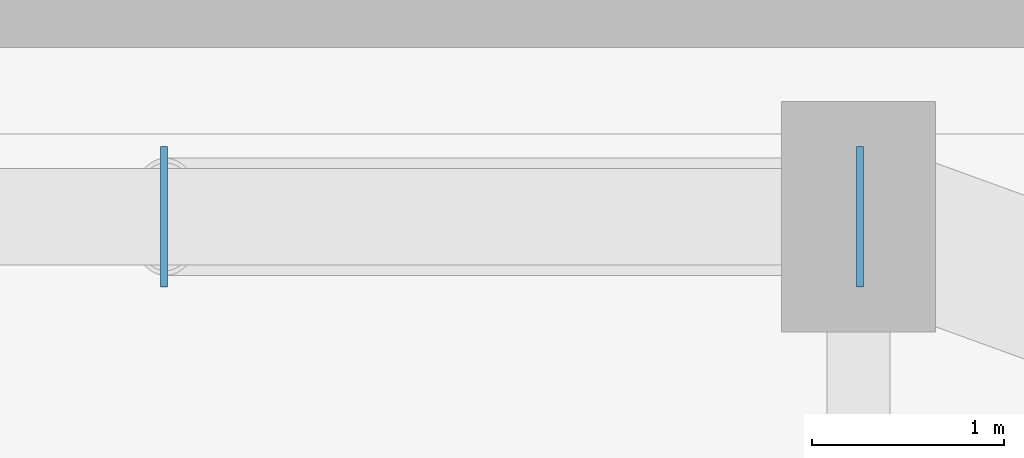
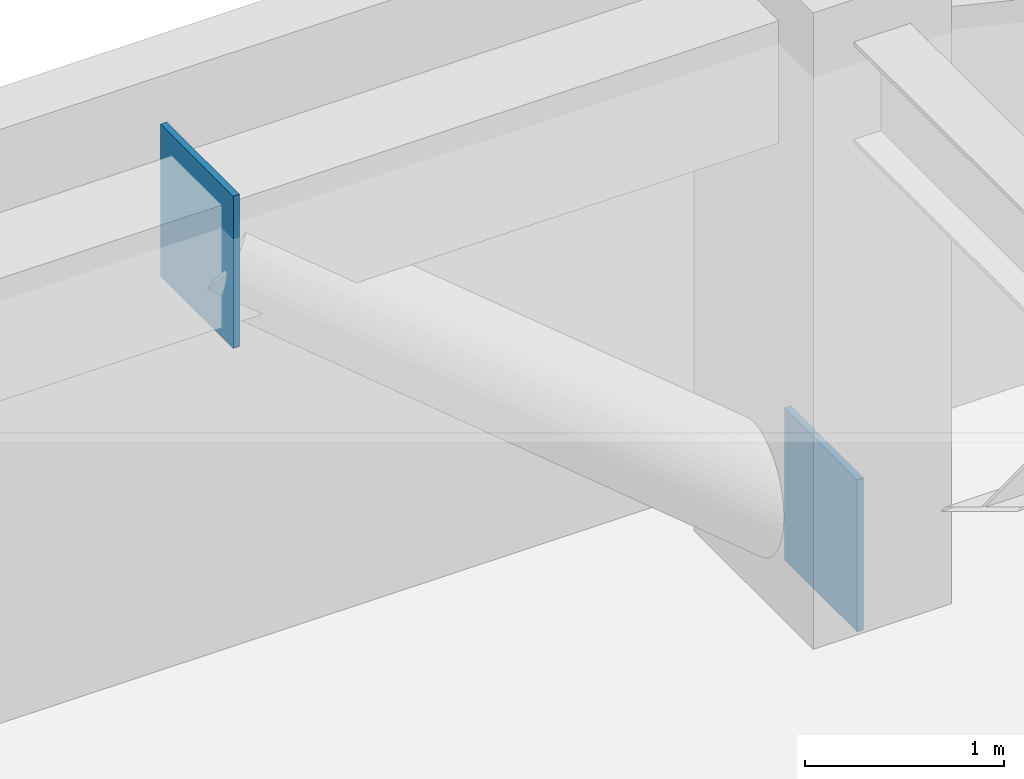
# One storey, part 17 of 24: 2 plates.
"""IFC4 building model written with IfcOpenShell, lengths in metres."""

import ifcopenshell
import ifcopenshell.guid

model = None  # the IFC model being written
_history = None  # IfcOwnerHistory: only IFC2X3 demands one
_inside = {}  # id of a spatial element -> (the spatial element, [elements in it])
_under = {}  # id of a project, library or spatial element -> (it, [spatial elements below it])
_declared = {}  # id of a project -> (the project, [libraries it declares])
_typed = {}  # id of a type object -> (the type object, [elements of that type])
_made_of = {}  # id of a material, layer set ... -> (it, [elements and type objects made of it])


def new_model(schema):
    """Start an empty IFC model of exactly this schema.

    Asked for "IFC4X3", IfcOpenShell would pick the latest addendum, in which some entities
    have other attributes; the version numbers below select the first issue.
    IFC2X3 requires an IfcOwnerHistory on every rooted entity: one is made here for all.
    """
    global model, _history
    if schema == "IFC4X3":
        model = ifcopenshell.file(schema_version=(4, 3, 0, 0))
    else:
        model = ifcopenshell.file(schema=schema)
    _inside.clear()
    _under.clear()
    _declared.clear()
    _typed.clear()
    _made_of.clear()
    _history = None
    if model.schema == "IFC2X3":
        org = make("IfcOrganization", Name="unknown")
        user = make(
            "IfcPersonAndOrganization",
            ThePerson=make("IfcPerson", FamilyName="unknown"),
            TheOrganization=org,
        )
        app = make(
            "IfcApplication",
            ApplicationDeveloper=org,
            Version="unknown",
            ApplicationFullName="unknown",
            ApplicationIdentifier="unknown",
        )
        _history = make(
            "IfcOwnerHistory",
            OwningUser=user,
            OwningApplication=app,
            ChangeAction="ADDED",
            CreationDate=0,
        )
    return model


def make(cls, **values):
    """One entity of the class cls with the attributes given. An attribute that is None is left unset."""
    return model.create_entity(
        cls, **{name: value for name, value in values.items() if value is not None}
    )


def rooted(cls, **values):
    """An entity with a GlobalId (a new one), such as an element, a storey or a relation."""
    return make(cls, GlobalId=ifcopenshell.guid.new(), OwnerHistory=_history, **values)


def si_unit(unit_type, name, prefix=None):
    """IfcSIUnit, for example si_unit("LENGTHUNIT", "METRE", prefix="MILLI")."""
    return make("IfcSIUnit", UnitType=unit_type, Prefix=prefix, Name=name)


def assignment(units):
    """IfcUnitAssignment: the units of a project."""
    return None if units is None else make("IfcUnitAssignment", Units=units)


def point(xyz):
    """IfcCartesianPoint."""
    return None if xyz is None else make("IfcCartesianPoint", Coordinates=xyz)


def direction(xyz):
    """IfcDirection."""
    return None if xyz is None else make("IfcDirection", DirectionRatios=xyz)


def frame(location, z_axis=None, x_axis=None):
    """IfcAxis2Placement3D, a coordinate frame: its origin and axes. An axis left out is left unset."""
    return make(
        "IfcAxis2Placement3D",
        Location=point(location),
        Axis=direction(z_axis),
        RefDirection=direction(x_axis),
    )


def frame_2d(location, x_axis=None):
    """IfcAxis2Placement2D, a coordinate frame in the plane: its origin and x axis."""
    return make(
        "IfcAxis2Placement2D", Location=point(location), RefDirection=direction(x_axis)
    )


def origin():
    """The frame at (0, 0, 0) with its axes left unset."""
    return frame((0.0, 0.0, 0.0))


def origin_2d():
    """The frame at (0, 0) in the plane with its x axis left unset."""
    return frame_2d((0.0, 0.0))


def place(relative_to, where):
    """IfcLocalPlacement: puts the frame where relative to a parent placement (None: the world)."""
    return make(
        "IfcLocalPlacement", PlacementRelTo=relative_to, RelativePlacement=where
    )


def context(
    kind, dimensions, precision=None, world=None, true_north=None, identifier=None
):
    """IfcGeometricRepresentationContext, for example the 3D "Model" context."""
    return make(
        "IfcGeometricRepresentationContext",
        ContextIdentifier=identifier,
        ContextType=kind,
        CoordinateSpaceDimension=dimensions,
        Precision=precision,
        WorldCoordinateSystem=world,
        TrueNorth=true_north,
    )


def subcontext(parent, identifier, kind, view, scale=None):
    """IfcGeometricRepresentationSubContext, for example "Body" below "Model"."""
    return make(
        "IfcGeometricRepresentationSubContext",
        ContextIdentifier=identifier,
        ContextType=kind,
        ParentContext=parent,
        TargetScale=scale,
        TargetView=view,
    )


def project(units=None, contexts=None):
    """IfcProject with its units and contexts."""
    return rooted(
        "IfcProject",
        Name="project",
        RepresentationContexts=contexts,
        UnitsInContext=assignment(units),
    )


def spatial(cls, under=None, at=None, **own):
    """A site, building, storey or space (cls), placed at a placement, below another one or the project."""
    s = rooted(cls, ObjectPlacement=at, **own)
    if under is not None:
        _under.setdefault(under.id(), (under, []))[1].append(s)
    return s


def profile(cls, at=None, kind="AREA", **sizes):
    """A parametric profile (cls). Its sizes go by their IFC names, for example OverallWidth=200.0."""
    return make(cls, ProfileType=kind, Position=at, **sizes)


def rectangle(**sizes):
    """IfcRectangleProfileDef."""
    return profile("IfcRectangleProfileDef", **sizes)


def extrude(swept, where, along, depth):
    """IfcExtrudedAreaSolid: the profile swept, set in the frame where, extruded along a direction by depth."""
    return make(
        "IfcExtrudedAreaSolid",
        SweptArea=swept,
        Position=where,
        ExtrudedDirection=direction(along),
        Depth=depth,
    )


def shape(context_of_items, identifier, shape_type, items):
    """IfcShapeRepresentation: the items that make up one representation, for example the "Body"."""
    return make(
        "IfcShapeRepresentation",
        ContextOfItems=context_of_items,
        RepresentationIdentifier=identifier,
        RepresentationType=shape_type,
        Items=items,
    )


def material(Name=None, Category=None):
    """IfcMaterial."""
    return make("IfcMaterial", Name=Name, Category=Category)


def layer(
    of_material, thickness, ventilated=None, Name=None, Category=None, Priority=None
):
    """IfcMaterialLayer: one layer of a wall or slab, of a material (None: an air gap)."""
    return make(
        "IfcMaterialLayer",
        Material=of_material,
        LayerThickness=thickness,
        IsVentilated=ventilated,
        Name=Name,
        Category=Category,
        Priority=Priority,
    )


def layer_set(layers, Name=None):
    """IfcMaterialLayerSet."""
    return make("IfcMaterialLayerSet", MaterialLayers=layers, LayerSetName=Name)


def made_of(thing, what):
    """Note that an element or type object is made of a material, layer set ...; save() writes the relation."""
    if what is not None:
        _made_of.setdefault(what.id(), (what, []))[1].append(thing)
    return thing


def type_object(cls, material=None, **own):
    """A type object (cls), such as IfcWallType, which elements share."""
    return made_of(rooted(cls, **own), material)


def element(
    cls,
    number,
    at=None,
    inside=None,
    cuts=None,
    type_object=None,
    material=None,
    context=None,
    identifier="Body",
    shape_type=None,
    held_by="IfcProductDefinitionShape",
    body=None,
    shapes=None,
    **own,
):
    """One element of the class cls, such as IfcWall. Its Tag is "e" and its number.

    at: its placement. inside: the storey or other place that contains it. cuts: it is an
    opening in that element (IfcRelVoidsElement). A single representation is given by context,
    identifier, shape_type and body (its items); several are given by shapes. held_by: the class
    of the entity that holds the representations. save() writes the other relations.
    """
    e = rooted(cls, Tag="e%d" % number, ObjectPlacement=at, **own)
    if body is not None:
        shapes = [shape(context, identifier, shape_type, body)]
    if shapes is not None:
        e.Representation = make(held_by, Representations=shapes)
    if inside is not None:
        _inside.setdefault(inside.id(), (inside, []))[1].append(e)
    if cuts is not None:
        rooted(
            "IfcRelVoidsElement", RelatingBuildingElement=cuts, RelatedOpeningElement=e
        )
    if type_object is not None:
        _typed.setdefault(type_object.id(), (type_object, []))[1].append(e)
    return made_of(e, material)


def aggregate(whole, parts):
    """IfcRelAggregates: a whole, such as a stair, and the parts it consists of."""
    return rooted("IfcRelAggregates", RelatingObject=whole, RelatedObjects=parts)


def save(model, path):
    """Write the relations noted so far, then the file.

    IfcRelAggregates (storeys below a building ...), IfcRelContainedInSpatialStructure (elements
    in a storey), IfcRelDefinesByType, IfcRelAssociatesMaterial and IfcRelDeclares: one each for
    every whole, place, type object, material and project.
    """
    for whole, parts in _under.values():
        aggregate(whole, parts)
    for where, things in _inside.values():
        rooted(
            "IfcRelContainedInSpatialStructure",
            RelatedElements=things,
            RelatingStructure=where,
        )
    for kind, things in _typed.values():
        rooted("IfcRelDefinesByType", RelatedObjects=things, RelatingType=kind)
    for what, things in _made_of.values():
        rooted("IfcRelAssociatesMaterial", RelatedObjects=things, RelatingMaterial=what)
    for by, libraries in _declared.values():
        rooted("IfcRelDeclares", RelatingContext=by, RelatedDefinitions=libraries)
    model.write(path)


model = new_model("IFC4")

# Units and contexts
model_context = context("Model", 3, precision=1e-05, world=origin(), true_north=direction((0.0, 1.0)))
body_context = subcontext(model_context, "Body", "Model", "MODEL_VIEW")
ifc_project = project(units=[si_unit("LENGTHUNIT", "METRE"), si_unit("AREAUNIT", "SQUARE_METRE"), si_unit("VOLUMEUNIT", "CUBIC_METRE"), si_unit("PLANEANGLEUNIT", "RADIAN"), si_unit("MASSUNIT", "GRAM", prefix="KILO")], contexts=[model_context])

# Site, building, storey
site_placement = place(None, origin())
site = spatial("IfcSite", under=ifc_project, at=site_placement, CompositionType="ELEMENT")
building_placement = place(site_placement, origin())
building = spatial("IfcBuilding", under=site, at=building_placement, Name="Kiyonajd Concourse Tower", CompositionType="ELEMENT")
storey_placement = place(building_placement, frame((0.0, 0.0, 117.0)))
storey = spatial("IfcBuildingStorey", under=building, at=storey_placement, Name="L30", CompositionType="ELEMENT", Elevation=117.0)

# Plates
ifc_material = material(Name="Steel ASTM A572 Grade 50", Category="steel")
ifc_layer = layer(ifc_material, 0.028076171875)
ifc_layer_set = layer_set([ifc_layer], Name="Steel ASTM A572 Grade 50")
plate_type = type_object("IfcPlateType", Name="PL-CAP-450", PredefinedType="USERDEFINED", material=ifc_layer_set)
for number, where, z_axis, x_axis, name in (
    (1, (63.6083984375, 61.199951171875, -0.173583984375), (0.0, 0.0, 1.0), (1.0, 0.0, 0.0), "L30 Hollow Brace End Cap Plate PBN"),
    (2, (59.991455078125, 61.199951171875, 2.83056640625), (0.0, 0.0, 1.0), (-1.0, 0.0, 0.0), "L30 Hollow Brace Top Cap Plate PBN"),
):
    element("IfcPlate", number, at=place(storey_placement, frame(where, z_axis=z_axis, x_axis=x_axis)), inside=storey, type_object=plate_type, Name=name, ObjectType="CAP PLATE", PredefinedType="USERDEFINED", context=body_context, shape_type="SweptSolid", body=[
        extrude(rectangle(XDim=0.035888671875, YDim=0.72998046875, at=origin_2d()), origin(), (0.0, 0.0, 1.0), 0.93310546875),
    ])

save(model, "model.ifc")
